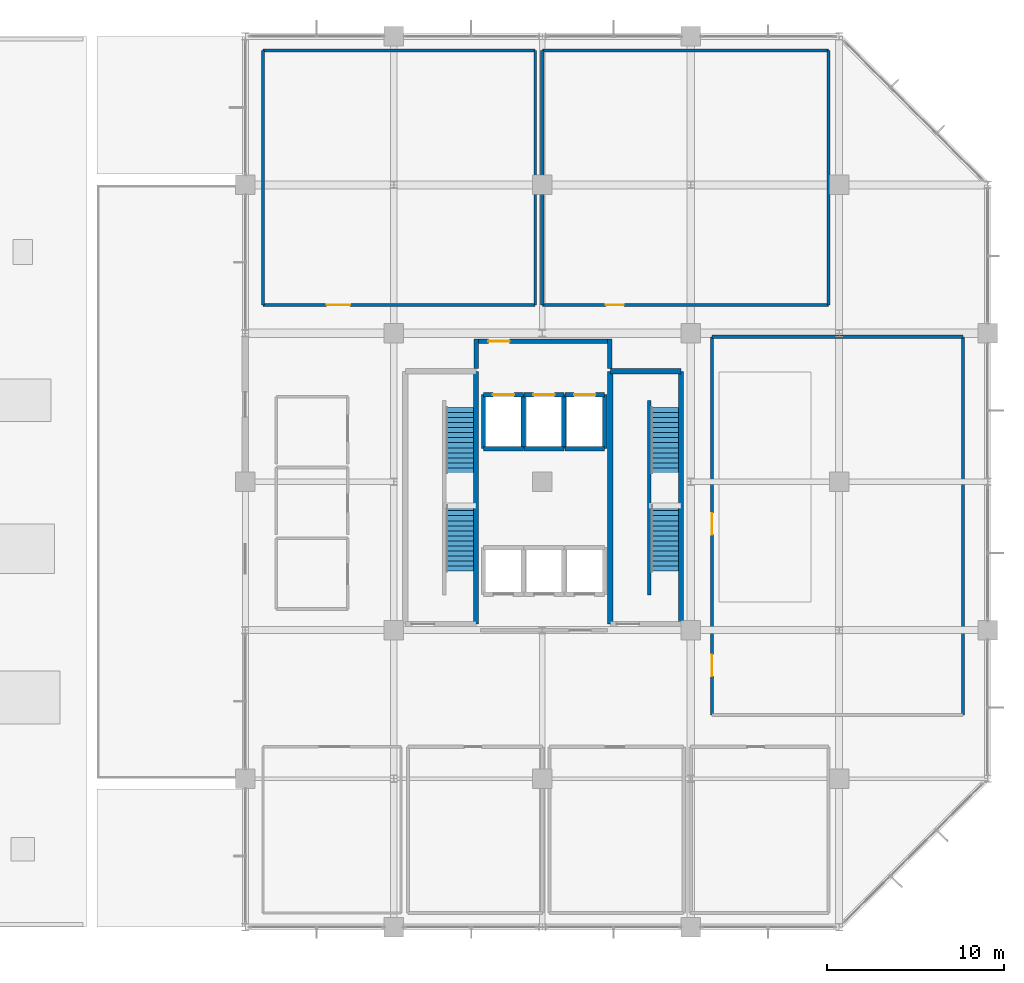
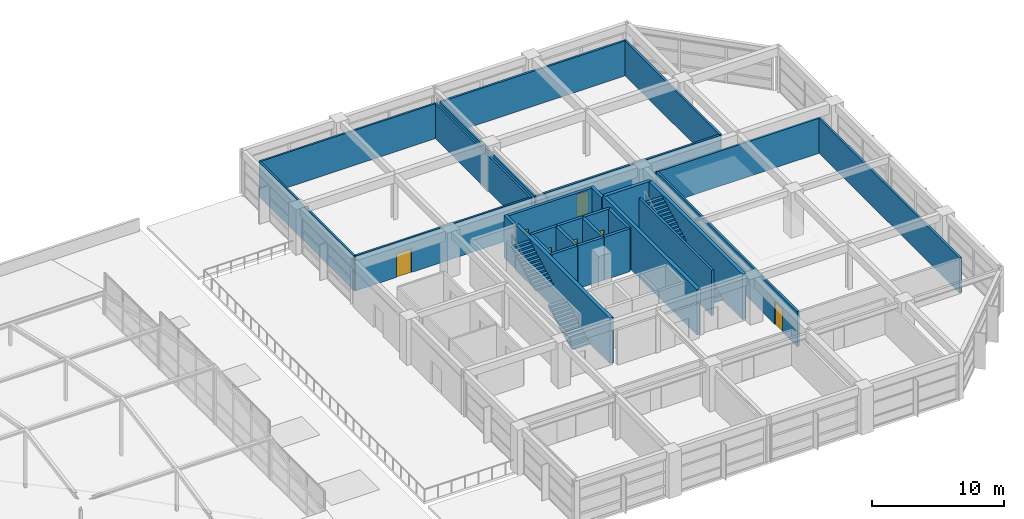
# One storey, part 32 of 34: 29 walls, 8 doors, 4 stair flights, 8 openings, 2 elements without a shape of their own.
"""IFC4 building model written with IfcOpenShell, lengths in metres."""

from ifc_helpers import new_model, si_unit, direction, frame, frame_2d, origin, place, context, subcontext, project, spatial, polyline, rectangle, outline, extrude, material, layer, layer_set, type_object, element, fill, aggregate, save


model = new_model("IFC4")

# Units and contexts
model_context = context("Model", 3, precision=1e-05, world=origin(), true_north=direction((0.0, 1.0)))
body_context = subcontext(model_context, "Body", "Model", "MODEL_VIEW")
ifc_project = project(units=[si_unit("LENGTHUNIT", "METRE"), si_unit("AREAUNIT", "SQUARE_METRE"), si_unit("VOLUMEUNIT", "CUBIC_METRE"), si_unit("PLANEANGLEUNIT", "RADIAN"), si_unit("MASSUNIT", "GRAM", prefix="KILO")], contexts=[model_context])

# Site, building, storey
site_placement = place(None, origin())
site = spatial("IfcSite", under=ifc_project, at=site_placement, CompositionType="ELEMENT")
building_placement = place(site_placement, origin())
building = spatial("IfcBuilding", under=site, at=building_placement, Name="Xuanlan Plaza Opera House", CompositionType="ELEMENT")
storey_placement = place(building_placement, frame((0.0, 0.0, 27.89990234375)))
storey = spatial("IfcBuildingStorey", under=building, at=storey_placement, Name="L06", CompositionType="ELEMENT", Elevation=27.89990234375)

# Wall
ifc_material_1 = material(Name="Gypsum Board and Galvanised Steel Studs", Category="gypsum")
ifc_layer_1 = layer(ifc_material_1, 0.179931640625)
ifc_layer_set_1 = layer_set([ifc_layer_1], Name="Gypsum Board and Galvanised Steel Studs")
wall_type_1 = type_object("IfcWallType", Name="INT-WL-PW-02", PredefinedType="PARTITIONING", material=ifc_layer_set_1)
wall_1_placement = place(storey_placement, frame((152.39990234375, 67.0, 0.0), z_axis=(0.0, 0.0, 1.0), x_axis=(1.0, 0.0, 0.0)))
element("IfcWall", 1, at=wall_1_placement, inside=storey, type_object=wall_type_1, Name="Performing Arts Production Studio Wall North", PredefinedType="PARTITIONING", context=body_context, shape_type="SweptSolid", body=[
    extrude(rectangle(XDim=14.2001953125, YDim=0.179931640625, at=frame_2d((7.10009765625, 0.0))), origin(), (0.0, 0.0, 1.0), 3.239990234375),
])

# Wall, openings, doors
wall_2_placement = place(storey_placement, frame((152.39990234375, 45.60009765625, 0.0), z_axis=(0.0, 0.0, 1.0), x_axis=(0.0, 1.0, 0.0)))
wall_2 = element("IfcWall", 2, at=wall_2_placement, inside=storey, type_object=wall_type_1, Name="Performing Arts Production Studio Wall West", PredefinedType="PARTITIONING", context=body_context, shape_type="SweptSolid", body=[
    extrude(rectangle(XDim=21.39990234375, YDim=0.179931640625, at=frame_2d((10.699951171875, 0.0))), origin(), (0.0, 0.0, 1.0), 3.239990234375),
])
opening_1_placement = place(wall_2_placement, frame((2.199951171875, 0.0, 0.0)))
opening_1 = element("IfcOpeningElement", 3, at=opening_1_placement, cuts=wall_2, Name="Opening D-05", PredefinedType="OPENING", context=body_context, shape_type="SweptSolid", body=[
    extrude(rectangle(XDim=1.219970703125, YDim=2.14990234375, at=frame_2d((0.60986328125, 1.074951171875))), frame((0.0, 0.099853515625, 0.0), z_axis=(0.0, -1.0, 0.0), x_axis=(1.0, 0.0, 0.0)), (0.0, 0.0, 1.0), 0.199951171875),
])
opening_2_placement = place(wall_2_placement, frame((10.199951171875, 0.0, 0.0)))
opening_2 = element("IfcOpeningElement", 4, at=opening_2_placement, cuts=wall_2, Name="Opening D-05", PredefinedType="OPENING", context=body_context, shape_type="SweptSolid", body=[
    extrude(rectangle(XDim=1.219970703125, YDim=2.14990234375, at=frame_2d((0.60986328125, 1.074951171875))), frame((0.0, 0.099853515625, 0.0), z_axis=(0.0, -1.0, 0.0), x_axis=(1.0, 0.0, 0.0)), (0.0, 0.0, 1.0), 0.199951171875),
])
ifc_material_2 = material(Name="Walnut Hardwood Timber", Category="wood")
door_type_1 = type_object("IfcDoorType", Name="INT-DR-D-05", OperationType="NOTDEFINED", PredefinedType="DOOR", material=ifc_material_2)
door_1_placement = place(opening_1_placement, origin())
door_1 = element("IfcDoor", 5, at=door_1_placement, inside=storey, type_object=door_type_1, Name="Performing Arts Production Studio Door 1", OperationType="SINGLE_SWING_LEFT", OverallHeight=2.14990234375, OverallWidth=1.219970703125, PredefinedType="DOOR", context=body_context, shape_type="SweptSolid", body=[
    extrude(rectangle(XDim=1.219970703125, YDim=2.14990234375, at=frame_2d((0.60986328125, 1.074951171875))), frame((0.0, 0.02490234375, 0.0), z_axis=(0.0, -1.0, 0.0), x_axis=(1.0, 0.0, 0.0)), (0.0, 0.0, 1.0), 0.050048828125),
])
fill(opening_1, door_1)
door_2_placement = place(opening_2_placement, origin())
door_2 = element("IfcDoor", 6, at=door_2_placement, inside=storey, type_object=door_type_1, Name="Performing Arts Production Studio Door 2", OperationType="SINGLE_SWING_RIGHT", OverallHeight=2.14990234375, OverallWidth=1.219970703125, PredefinedType="DOOR", context=body_context, shape_type="SweptSolid", body=[
    extrude(rectangle(XDim=1.219970703125, YDim=2.14990234375, at=frame_2d((0.60986328125, 1.074951171875))), frame((0.0, 0.02490234375, 0.0), z_axis=(0.0, -1.0, 0.0), x_axis=(1.0, 0.0, 0.0)), (0.0, 0.0, 1.0), 0.050048828125),
])
fill(opening_2, door_2)

# Wall
wall_3_placement = place(storey_placement, frame((166.60009765625, 45.60009765625, 0.0), z_axis=(0.0, 0.0, 1.0), x_axis=(0.0, 1.0, 0.0)))
element("IfcWall", 7, at=wall_3_placement, inside=storey, type_object=wall_type_1, Name="Performing Arts Production Studio Wall East", PredefinedType="PARTITIONING", context=body_context, shape_type="SweptSolid", body=[
    extrude(rectangle(XDim=21.39990234375, YDim=0.179931640625, at=frame_2d((10.699951171875, 0.0))), origin(), (0.0, 0.0, 1.0), 3.239990234375),
])

# Wall, opening, door
wall_4_placement = place(storey_placement, frame((142.800048828125, 68.800048828125, 0.0), z_axis=(0.0, 0.0, 1.0), x_axis=(1.0, 0.0, 0.0)))
wall_4 = element("IfcWall", 8, at=wall_4_placement, inside=storey, type_object=wall_type_1, Name="Dramaturgy and Programme Office Wall South", PredefinedType="PARTITIONING", context=body_context, shape_type="SweptSolid", body=[
    extrude(rectangle(XDim=16.199951171875, YDim=0.179931640625, at=frame_2d((8.10009765625, 0.0))), origin(), (0.0, 0.0, 1.0), 3.239990234375),
])
opening_3_placement = place(wall_4_placement, frame((3.60009765625, 0.0, 0.0)))
opening_3 = element("IfcOpeningElement", 9, at=opening_3_placement, cuts=wall_4, Name="Opening D-02", PredefinedType="OPENING", context=body_context, shape_type="SweptSolid", body=[
    extrude(rectangle(XDim=1.02001953125, YDim=2.10009765625, at=frame_2d((0.510009765625, 1.050048828125))), frame((0.0, 0.099853515625, 0.0), z_axis=(0.0, -1.0, 0.0), x_axis=(1.0, 0.0, 0.0)), (0.0, 0.0, 1.0), 0.199951171875),
])
ifc_material_3 = material(Name="Oak Hardwood Timber", Category="wood")
door_type_2 = type_object("IfcDoorType", Name="INT-DR-D-02", OperationType="NOTDEFINED", PredefinedType="DOOR", material=ifc_material_3)
door_3_placement = place(opening_3_placement, origin())
door_3 = element("IfcDoor", 10, at=door_3_placement, inside=storey, type_object=door_type_2, Name="Dramaturgy and Programme Office Door 1", OperationType="SINGLE_SWING_LEFT", OverallHeight=2.10009765625, OverallWidth=1.02001953125, PredefinedType="DOOR", context=body_context, shape_type="SweptSolid", body=[
    extrude(rectangle(XDim=1.02001953125, YDim=2.10009765625, at=frame_2d((0.510009765625, 1.050048828125))), frame((0.0, 0.02490234375, 0.0), z_axis=(0.0, -1.0, 0.0), x_axis=(1.0, 0.0, 0.0)), (0.0, 0.0, 1.0), 0.050048828125),
])
fill(opening_3, door_3)

# Walls
wall_5_placement = place(storey_placement, frame((142.800048828125, 83.199951171875, 0.0), z_axis=(0.0, 0.0, 1.0), x_axis=(1.0, 0.0, 0.0)))
element("IfcWall", 11, at=wall_5_placement, inside=storey, type_object=wall_type_1, Name="Dramaturgy and Programme Office Wall North", PredefinedType="PARTITIONING", context=body_context, shape_type="SweptSolid", body=[
    extrude(rectangle(XDim=16.199951171875, YDim=0.179931640625, at=frame_2d((8.10009765625, 0.0))), origin(), (0.0, 0.0, 1.0), 3.239990234375),
])
for number, where, z_axis, x_axis, name in (
    (12, (142.800048828125, 68.800048828125, 0.0), (0.0, 0.0, 1.0), (0.0, 1.0, 0.0), "Dramaturgy and Programme Office Wall West"),
    (13, (159.0, 68.800048828125, 0.0), (0.0, 0.0, 1.0), (0.0, 1.0, 0.0), "Dramaturgy and Programme Office Wall East"),
):
    element("IfcWall", number, at=place(storey_placement, frame(where, z_axis=z_axis, x_axis=x_axis)), inside=storey, type_object=wall_type_1, Name=name, PredefinedType="PARTITIONING", context=body_context, shape_type="SweptSolid", body=[
        extrude(rectangle(XDim=14.39990234375, YDim=0.179931640625, at=frame_2d((7.199951171875, 0.0))), origin(), (0.0, 0.0, 1.0), 3.239990234375),
    ])

# Wall, opening, door
ifc_layer_2 = layer(ifc_material_1, 0.159912109375)
ifc_layer_set_2 = layer_set([ifc_layer_2], Name="Gypsum Board and Galvanised Steel Studs")
wall_type_2 = type_object("IfcWallType", Name="INT-WL-PW-05", PredefinedType="PARTITIONING", material=ifc_layer_set_2)
wall_6_placement = place(storey_placement, frame((127.0, 68.800048828125, 0.0), z_axis=(0.0, 0.0, 1.0), x_axis=(1.0, 0.0, 0.0)))
wall_6 = element("IfcWall", 14, at=wall_6_placement, inside=storey, type_object=wall_type_2, Name="Artistic Direction Boardroom Wall South", PredefinedType="PARTITIONING", context=body_context, shape_type="SweptSolid", body=[
    extrude(rectangle(XDim=15.39990234375, YDim=0.159912109375, at=frame_2d((7.699951171875, 0.0))), origin(), (0.0, 0.0, 1.0), 3.239990234375),
])
opening_4_placement = place(wall_6_placement, frame((3.60009765625, 0.0, 0.0)))
opening_4 = element("IfcOpeningElement", 15, at=opening_4_placement, cuts=wall_6, Name="Opening D-07", PredefinedType="OPENING", context=body_context, shape_type="SweptSolid", body=[
    extrude(rectangle(XDim=1.320068359375, YDim=2.179931640625, at=frame_2d((0.66015625, 1.08984375))), frame((0.0, 0.08984375, 0.0), z_axis=(0.0, -1.0, 0.0), x_axis=(1.0, 0.0, 0.0)), (0.0, 0.0, 1.0), 0.179931640625),
])
door_type_3 = type_object("IfcDoorType", Name="INT-DR-D-07", OperationType="NOTDEFINED", PredefinedType="DOOR", material=ifc_material_2)
door_4_placement = place(opening_4_placement, origin())
door_4 = element("IfcDoor", 16, at=door_4_placement, inside=storey, type_object=door_type_3, Name="Artistic Direction Boardroom Door 1", OperationType="SINGLE_SWING_LEFT", OverallHeight=2.179931640625, OverallWidth=1.320068359375, PredefinedType="DOOR", context=body_context, shape_type="SweptSolid", body=[
    extrude(rectangle(XDim=1.320068359375, YDim=2.179931640625, at=frame_2d((0.66015625, 1.08984375))), frame((0.0, 0.02490234375, 0.0), z_axis=(0.0, -1.0, 0.0), x_axis=(1.0, 0.0, 0.0)), (0.0, 0.0, 1.0), 0.050048828125),
])
fill(opening_4, door_4)

# Walls
wall_7_placement = place(storey_placement, frame((127.0, 83.199951171875, 0.0), z_axis=(0.0, 0.0, 1.0), x_axis=(1.0, 0.0, 0.0)))
element("IfcWall", 17, at=wall_7_placement, inside=storey, type_object=wall_type_2, Name="Artistic Direction Boardroom Wall North", PredefinedType="PARTITIONING", context=body_context, shape_type="SweptSolid", body=[
    extrude(rectangle(XDim=15.39990234375, YDim=0.159912109375, at=frame_2d((7.699951171875, 0.0))), origin(), (0.0, 0.0, 1.0), 3.239990234375),
])
for number, where, z_axis, x_axis, name in (
    (18, (127.0, 68.800048828125, 0.0), (0.0, 0.0, 1.0), (0.0, 1.0, 0.0), "Artistic Direction Boardroom Wall West"),
    (19, (142.39990234375, 68.800048828125, 0.0), (0.0, 0.0, 1.0), (0.0, 1.0, 0.0), "Artistic Direction Boardroom Wall East"),
):
    element("IfcWall", number, at=place(storey_placement, frame(where, z_axis=z_axis, x_axis=x_axis)), inside=storey, type_object=wall_type_2, Name=name, PredefinedType="PARTITIONING", context=body_context, shape_type="SweptSolid", body=[
        extrude(rectangle(XDim=14.39990234375, YDim=0.159912109375, at=frame_2d((7.199951171875, 0.0))), origin(), (0.0, 0.0, 1.0), 3.239990234375),
    ])
ifc_material_4 = material(Name="Concrete C40", Category="concrete")
ifc_layer_3 = layer(ifc_material_4, 0.25)
ifc_layer_set_3 = layer_set([ifc_layer_3], Name="Concrete C40")
wall_type_3 = type_object("IfcWallType", Name="INT-WL-SW-LF1", PredefinedType="SHEAR", material=ifc_layer_set_3)
wall_8_placement = place(storey_placement, frame((139.47509765625, 60.675048828125, 0.0), z_axis=(0.0, 0.0, 1.0), x_axis=(1.0, 0.0, 0.0)))
element("IfcWall", 20, at=wall_8_placement, inside=storey, type_object=wall_type_3, Name="Lift Shaft Wall LF-FF1 L06 South", PredefinedType="SHEAR", context=body_context, shape_type="SweptSolid", body=[
    extrude(rectangle(XDim=2.25, YDim=0.25, at=frame_2d((1.125, 0.0))), origin(), (0.0, 0.0, 1.0), 3.960205078125),
])

# Wall, opening, door
wall_9_placement = place(storey_placement, frame((139.47509765625, 63.72509765625, 0.0), z_axis=(0.0, 0.0, 1.0), x_axis=(1.0, 0.0, 0.0)))
wall_9 = element("IfcWall", 21, at=wall_9_placement, inside=storey, type_object=wall_type_3, Name="Lift Shaft Wall LF-FF1 L06 North", PredefinedType="SHEAR", context=body_context, shape_type="SweptSolid", body=[
    extrude(rectangle(XDim=2.25, YDim=0.25, at=frame_2d((1.125, 0.0))), origin(), (0.0, 0.0, 1.0), 3.960205078125),
])
opening_5_placement = place(wall_9_placement, frame((0.52490234375, 0.0, 0.0)))
opening_5 = element("IfcOpeningElement", 22, at=opening_5_placement, cuts=wall_9, Name="Opening LD-FF1-L06", PredefinedType="OPENING", context=body_context, shape_type="SweptSolid", body=[
    extrude(rectangle(XDim=1.199951171875, YDim=2.179931640625, at=frame_2d((0.60009765625, 1.08984375))), frame((0.0, 0.135009765625, 0.0), z_axis=(0.0, -1.0, 0.0), x_axis=(1.0, 0.0, 0.0)), (0.0, 0.0, 1.0), 0.27001953125),
])
ifc_material_5 = material(Name="Stainless Steel S30408", Category="steel")
door_type_4 = type_object("IfcDoorType", Name="INT-DR-LD-02", OperationType="DOUBLE_DOOR_SLIDING", PredefinedType="DOOR", material=ifc_material_5)
door_5_placement = place(opening_5_placement, origin())
door_5 = element("IfcDoor", 23, at=door_5_placement, inside=storey, type_object=door_type_4, Name="Lift Sliding Landing Door LF-FF1 L06", OperationType="DOUBLE_DOOR_SLIDING", OverallHeight=2.179931640625, OverallWidth=1.199951171875, PredefinedType="DOOR", context=body_context, shape_type="SweptSolid", body=[
    extrude(rectangle(XDim=1.199951171875, YDim=2.179931640625, at=frame_2d((0.60009765625, 1.08984375))), frame((0.0, 0.02490234375, 0.0), z_axis=(0.0, -1.0, 0.0), x_axis=(1.0, 0.0, 0.0)), (0.0, 0.0, 1.0), 0.050048828125),
])
fill(opening_5, door_5)

# Walls
for number, where, z_axis, x_axis, name in (
    (24, (139.47509765625, 60.675048828125, 0.0), (0.0, 0.0, 1.0), (0.0, 1.0, 0.0), "Lift Shaft Wall LF-FF1 L06 West"),
    (25, (141.72509765625, 60.675048828125, 0.0), (0.0, 0.0, 1.0), (0.0, 1.0, 0.0), "Lift Shaft Wall LF-FF1 L06 East"),
):
    element("IfcWall", number, at=place(storey_placement, frame(where, z_axis=z_axis, x_axis=x_axis)), inside=storey, type_object=wall_type_3, Name=name, PredefinedType="SHEAR", context=body_context, shape_type="SweptSolid", body=[
        extrude(rectangle(XDim=3.050048828125, YDim=0.25, at=frame_2d((1.52490234375, 0.0))), origin(), (0.0, 0.0, 1.0), 3.960205078125),
    ])
wall_10_placement = place(storey_placement, frame((141.77490234375, 60.675048828125, 0.0), z_axis=(0.0, 0.0, 1.0), x_axis=(1.0, 0.0, 0.0)))
element("IfcWall", 26, at=wall_10_placement, inside=storey, type_object=wall_type_3, Name="Lift Shaft Wall LF-FF2 L06 South", PredefinedType="SHEAR", context=body_context, shape_type="SweptSolid", body=[
    extrude(rectangle(XDim=2.25, YDim=0.25, at=frame_2d((1.125, 0.0))), origin(), (0.0, 0.0, 1.0), 3.960205078125),
])

# Wall, opening, door
wall_11_placement = place(storey_placement, frame((141.77490234375, 63.72509765625, 0.0), z_axis=(0.0, 0.0, 1.0), x_axis=(1.0, 0.0, 0.0)))
wall_11 = element("IfcWall", 27, at=wall_11_placement, inside=storey, type_object=wall_type_3, Name="Lift Shaft Wall LF-FF2 L06 North", PredefinedType="SHEAR", context=body_context, shape_type="SweptSolid", body=[
    extrude(rectangle(XDim=2.25, YDim=0.25, at=frame_2d((1.125, 0.0))), origin(), (0.0, 0.0, 1.0), 3.960205078125),
])
opening_6_placement = place(wall_11_placement, frame((0.52490234375, 0.0, 0.0)))
opening_6 = element("IfcOpeningElement", 28, at=opening_6_placement, cuts=wall_11, Name="Opening LD-FF2-L06", PredefinedType="OPENING", context=body_context, shape_type="SweptSolid", body=[
    extrude(rectangle(XDim=1.199951171875, YDim=2.179931640625, at=frame_2d((0.60009765625, 1.08984375))), frame((0.0, 0.135009765625, 0.0), z_axis=(0.0, -1.0, 0.0), x_axis=(1.0, 0.0, 0.0)), (0.0, 0.0, 1.0), 0.27001953125),
])
door_6_placement = place(opening_6_placement, origin())
door_6 = element("IfcDoor", 29, at=door_6_placement, inside=storey, type_object=door_type_4, Name="Lift Sliding Landing Door LF-FF2 L06", OperationType="DOUBLE_DOOR_SLIDING", OverallHeight=2.179931640625, OverallWidth=1.199951171875, PredefinedType="DOOR", context=body_context, shape_type="SweptSolid", body=[
    extrude(rectangle(XDim=1.199951171875, YDim=2.179931640625, at=frame_2d((0.60009765625, 1.08984375))), frame((0.0, 0.02490234375, 0.0), z_axis=(0.0, -1.0, 0.0), x_axis=(1.0, 0.0, 0.0)), (0.0, 0.0, 1.0), 0.050048828125),
])
fill(opening_6, door_6)

# Walls
wall_12_placement = place(storey_placement, frame((144.02490234375, 60.675048828125, 0.0), z_axis=(0.0, 0.0, 1.0), x_axis=(0.0, 1.0, 0.0)))
element("IfcWall", 30, at=wall_12_placement, inside=storey, type_object=wall_type_3, Name="Lift Shaft Wall LF-FF2 L06 East", PredefinedType="SHEAR", context=body_context, shape_type="SweptSolid", body=[
    extrude(rectangle(XDim=3.050048828125, YDim=0.25, at=frame_2d((1.52490234375, 0.0))), origin(), (0.0, 0.0, 1.0), 3.960205078125),
])
wall_13_placement = place(storey_placement, frame((144.074951171875, 60.675048828125, 0.0), z_axis=(0.0, 0.0, 1.0), x_axis=(1.0, 0.0, 0.0)))
element("IfcWall", 31, at=wall_13_placement, inside=storey, type_object=wall_type_3, Name="Lift Shaft Wall LF-FF3 L06 South", PredefinedType="SHEAR", context=body_context, shape_type="SweptSolid", body=[
    extrude(rectangle(XDim=2.25, YDim=0.25, at=frame_2d((1.125, 0.0))), origin(), (0.0, 0.0, 1.0), 3.960205078125),
])

# Wall, opening, door
wall_14_placement = place(storey_placement, frame((144.074951171875, 63.72509765625, 0.0), z_axis=(0.0, 0.0, 1.0), x_axis=(1.0, 0.0, 0.0)))
wall_14 = element("IfcWall", 32, at=wall_14_placement, inside=storey, type_object=wall_type_3, Name="Lift Shaft Wall LF-FF3 L06 North", PredefinedType="SHEAR", context=body_context, shape_type="SweptSolid", body=[
    extrude(rectangle(XDim=2.25, YDim=0.25, at=frame_2d((1.125, 0.0))), origin(), (0.0, 0.0, 1.0), 3.960205078125),
])
opening_7_placement = place(wall_14_placement, frame((0.52490234375, 0.0, 0.0)))
opening_7 = element("IfcOpeningElement", 33, at=opening_7_placement, cuts=wall_14, Name="Opening LD-FF3-L06", PredefinedType="OPENING", context=body_context, shape_type="SweptSolid", body=[
    extrude(rectangle(XDim=1.199951171875, YDim=2.179931640625, at=frame_2d((0.60009765625, 1.08984375))), frame((0.0, 0.135009765625, 0.0), z_axis=(0.0, -1.0, 0.0), x_axis=(1.0, 0.0, 0.0)), (0.0, 0.0, 1.0), 0.27001953125),
])
door_7_placement = place(opening_7_placement, origin())
door_7 = element("IfcDoor", 34, at=door_7_placement, inside=storey, type_object=door_type_4, Name="Lift Sliding Landing Door LF-FF3 L06", OperationType="DOUBLE_DOOR_SLIDING", OverallHeight=2.179931640625, OverallWidth=1.199951171875, PredefinedType="DOOR", context=body_context, shape_type="SweptSolid", body=[
    extrude(rectangle(XDim=1.199951171875, YDim=2.179931640625, at=frame_2d((0.60009765625, 1.08984375))), frame((0.0, 0.02490234375, 0.0), z_axis=(0.0, -1.0, 0.0), x_axis=(1.0, 0.0, 0.0)), (0.0, 0.0, 1.0), 0.050048828125),
])
fill(opening_7, door_7)

# Walls
wall_15_placement = place(storey_placement, frame((146.324951171875, 60.675048828125, 0.0), z_axis=(0.0, 0.0, 1.0), x_axis=(0.0, 1.0, 0.0)))
element("IfcWall", 35, at=wall_15_placement, inside=storey, type_object=wall_type_3, Name="Lift Shaft Wall LF-FF3 L06 East", PredefinedType="SHEAR", context=body_context, shape_type="SweptSolid", body=[
    extrude(rectangle(XDim=3.050048828125, YDim=0.25, at=frame_2d((1.52490234375, 0.0))), origin(), (0.0, 0.0, 1.0), 3.960205078125),
])
for number, where, z_axis, x_axis, name in (
    (36, (139.074951171875, 65.199951171875, 0.0), (0.0, 0.0, 1.0), (0.0, 1.0, 0.0), "Firefighting Lift Lobby Enclosure Wall L06 W"),
    (37, (146.625, 65.199951171875, 0.0), (0.0, 0.0, 1.0), (0.0, 1.0, 0.0), "Firefighting Lift Lobby Enclosure Wall L06 E"),
):
    element("IfcWall", number, at=place(storey_placement, frame(where, z_axis=z_axis, x_axis=x_axis)), inside=storey, type_object=wall_type_3, Name=name, PredefinedType="SHEAR", context=body_context, shape_type="SweptSolid", body=[
        extrude(rectangle(XDim=1.675048828125, YDim=0.25, at=frame_2d((0.83740234375, 0.0))), origin(), (0.0, 0.0, 1.0), 3.960205078125),
    ])

# Wall, opening, door
wall_16_placement = place(storey_placement, frame((139.199951171875, 66.75, 0.0), z_axis=(0.0, 0.0, 1.0), x_axis=(1.0, 0.0, 0.0)))
wall_16 = element("IfcWall", 38, at=wall_16_placement, inside=storey, type_object=wall_type_3, Name="Firefighting Lift Lobby Wall North", PredefinedType="SHEAR", context=body_context, shape_type="SweptSolid", body=[
    extrude(rectangle(XDim=7.300048828125, YDim=0.25, at=frame_2d((3.64990234375, 0.0))), origin(), (0.0, 0.0, 1.0), 3.960205078125),
])
opening_8_placement = place(wall_16_placement, frame((0.550048828125, 0.0, 0.0)))
opening_8 = element("IfcOpeningElement", 39, at=opening_8_placement, cuts=wall_16, Name="Opening FD-02", PredefinedType="OPENING", context=body_context, shape_type="SweptSolid", body=[
    extrude(rectangle(XDim=1.199951171875, YDim=2.14990234375, at=frame_2d((0.60009765625, 1.074951171875))), frame((0.0, 0.135009765625, 0.0), z_axis=(0.0, -1.0, 0.0), x_axis=(1.0, 0.0, 0.0)), (0.0, 0.0, 1.0), 0.27001953125),
])
ifc_material_6 = material(Name="Galvanised Steel Q235B", Category="steel")
door_type_5 = type_object("IfcDoorType", Name="INT-DR-FD-02", OperationType="NOTDEFINED", PredefinedType="DOOR", material=ifc_material_6)
door_8_placement = place(opening_8_placement, origin())
door_8 = element("IfcDoor", 40, at=door_8_placement, inside=storey, type_object=door_type_5, Name="Firefighting Lift Lobby Door 1", OperationType="SINGLE_SWING_RIGHT", OverallHeight=2.14990234375, OverallWidth=1.199951171875, PredefinedType="DOOR", context=body_context, shape_type="SweptSolid", body=[
    extrude(rectangle(XDim=1.199951171875, YDim=2.14990234375, at=frame_2d((0.60009765625, 1.074951171875))), frame((0.0, 0.02490234375, 0.0), z_axis=(0.0, -1.0, 0.0), x_axis=(1.0, 0.0, 0.0)), (0.0, 0.0, 1.0), 0.050048828125),
])
fill(opening_8, door_8)

# Walls
ifc_layer_4 = layer(ifc_material_4, 0.199951171875)
ifc_layer_set_4 = layer_set([ifc_layer_4], Name="Concrete C40")
wall_type_4 = type_object("IfcWallType", Name="INT-WL-SW-SPN", PredefinedType="SHEAR", material=ifc_layer_set_4)
wall_17_placement = place(storey_placement, frame((148.85009765625, 52.39990234375, 0.0), z_axis=(0.0, 0.0, 1.0), x_axis=(0.0, 1.0, 0.0)))
element("IfcWall", 41, at=wall_17_placement, inside=storey, type_object=wall_type_4, Name="Stair Structural Spine Wall ST-T2 L06", PredefinedType="SHEAR", context=body_context, shape_type="SweptSolid", body=[
    extrude(rectangle(XDim=11.0, YDim=0.199951171875, at=frame_2d((5.5, 0.0))), origin(), (0.0, 0.0, 1.0), 4.2001953125),
])
ifc_layer_5 = layer(ifc_material_4, 0.300048828125)
ifc_layer_set_5 = layer_set([ifc_layer_5], Name="Concrete C40")
wall_type_5 = type_object("IfcWallType", Name="INT-WL-SW-ST1", PredefinedType="SHEAR", material=ifc_layer_set_5)
wall_18_placement = place(storey_placement, frame((139.050048828125, 50.75, 0.0), z_axis=(0.0, 0.0, 1.0), x_axis=(0.0, 1.0, 0.0)))
element("IfcWall", 42, at=wall_18_placement, inside=storey, type_object=wall_type_5, Name="Stair Core Wall ST-T1 L06 East", PredefinedType="SHEAR", context=body_context, shape_type="SweptSolid", body=[
    extrude(rectangle(XDim=14.300048828125, YDim=0.300048828125, at=frame_2d((7.14990234375, 0.0))), origin(), (0.0, 0.0, 1.0), 4.2001953125),
])
wall_19_placement = place(storey_placement, frame((146.64990234375, 65.050048828125, 0.0), z_axis=(0.0, 0.0, 1.0), x_axis=(1.0, 0.0, 0.0)))
element("IfcWall", 43, at=wall_19_placement, inside=storey, type_object=wall_type_5, Name="Stair Core Wall ST-T2 L06 North", PredefinedType="SHEAR", context=body_context, shape_type="SweptSolid", body=[
    extrude(rectangle(XDim=4.0, YDim=0.300048828125, at=frame_2d((2.0, 0.0))), origin(), (0.0, 0.0, 1.0), 4.2001953125),
])
for number, where, z_axis, x_axis, name in (
    (44, (146.64990234375, 50.75, 0.0), (0.0, 0.0, 1.0), (0.0, 1.0, 0.0), "Stair Core Wall ST-T2 L06 West"),
    (45, (150.64990234375, 50.75, 0.0), (0.0, 0.0, 1.0), (0.0, 1.0, 0.0), "Stair Core Wall ST-T2 L06 East"),
):
    element("IfcWall", number, at=place(storey_placement, frame(where, z_axis=z_axis, x_axis=x_axis)), inside=storey, type_object=wall_type_5, Name=name, PredefinedType="SHEAR", context=body_context, shape_type="SweptSolid", body=[
        extrude(rectangle(XDim=14.300048828125, YDim=0.300048828125, at=frame_2d((7.14990234375, 0.0))), origin(), (0.0, 0.0, 1.0), 4.2001953125),
    ])

# Stair, stair flights
stair_type = type_object("IfcStairType", Name="INT-ST-STR-T155", PredefinedType="STRAIGHT_RUN_STAIR", material=ifc_material_4)
stair_1_placement = place(storey_placement, origin())
stair_1 = element("IfcStair", 46, at=stair_1_placement, inside=storey, type_object=stair_type, Name="Protected Exit Stair ST-T1 L06", PredefinedType="STRAIGHT_RUN_STAIR")
ifc_layer_6 = layer(ifc_material_4, 0.159912109375)
ifc_layer_set_6 = layer_set([ifc_layer_6], Name="Concrete C40")
stair_flight_type = type_object("IfcStairFlightType", Name="INT-FL-FL-155", PredefinedType="STRAIGHT", material=ifc_layer_set_6)
stair_flight_1_placement = place(storey_placement, frame((138.125, 53.739990234375, 0.0), z_axis=(0.0, 0.0, 1.0), x_axis=(0.0, 1.0, 0.0)))
stair_flight_1 = element("IfcStairFlight", 47, at=stair_flight_1_placement, type_object=stair_flight_type, Name="ST-T1-L06 flight 1", NumberOfRisers=14, NumberOfTreads=13, PredefinedType="STRAIGHT", RiserHeight=0.15, TreadLength=0.285, context=body_context, shape_type="SweptSolid", body=[
    extrude(outline(polyline([(0.0, 0.0), (0.0, 0.14990234375), (0.284912109375, 0.14990234375), (0.284912109375, 0.300048828125), (0.570068359375, 0.300048828125), (0.570068359375, 0.449951171875), (0.85498046875, 0.449951171875), (0.85498046875, 0.60009765625), (1.139892578125, 0.60009765625), (1.139892578125, 0.75), (1.425048828125, 0.75), (1.425048828125, 0.89990234375), (1.7099609375, 0.89990234375), (1.7099609375, 1.050048828125), (1.9951171875, 1.050048828125), (1.9951171875, 1.199951171875), (2.280029296875, 1.199951171875), (2.280029296875, 1.35009765625), (2.56494140625, 1.35009765625), (2.56494140625, 1.5), (2.85009765625, 1.5), (2.85009765625, 1.64990234375), (3.135009765625, 1.64990234375), (3.135009765625, 1.800048828125), (3.419921875, 1.800048828125), (3.419921875, 1.949951171875), (3.705078125, 1.949951171875), (3.705078125, 2.10009765625), (3.705078125, 1.769287109375), (0.34326171875, 0.0), (0.0, 0.0)])), frame((0.0, 0.77490234375, 0.0), z_axis=(0.0, -1.0, 0.0), x_axis=(1.0, 0.0, 0.0)), (0.0, 0.0, 1.0), 1.550048828125),
])
stair_flight_2_placement = place(storey_placement, frame((138.125, 59.294921875, 2.10009765625), z_axis=(0.0, 0.0, 1.0), x_axis=(0.0, 1.0, 0.0)))
stair_flight_2 = element("IfcStairFlight", 48, at=stair_flight_2_placement, type_object=stair_flight_type, Name="ST-T1-L06 flight 2", NumberOfRisers=14, NumberOfTreads=13, PredefinedType="STRAIGHT", RiserHeight=0.15, TreadLength=0.285, context=body_context, shape_type="SweptSolid", body=[
    extrude(outline(polyline([(0.0, 0.0), (0.0, 0.14990234375), (0.284912109375, 0.14990234375), (0.284912109375, 0.300048828125), (0.570068359375, 0.300048828125), (0.570068359375, 0.449951171875), (0.85498046875, 0.449951171875), (0.85498046875, 0.60009765625), (1.139892578125, 0.60009765625), (1.139892578125, 0.75), (1.425048828125, 0.75), (1.425048828125, 0.89990234375), (1.7099609375, 0.89990234375), (1.7099609375, 1.050048828125), (1.9951171875, 1.050048828125), (1.9951171875, 1.199951171875), (2.280029296875, 1.199951171875), (2.280029296875, 1.35009765625), (2.56494140625, 1.35009765625), (2.56494140625, 1.5), (2.85009765625, 1.5), (2.85009765625, 1.64990234375), (3.135009765625, 1.64990234375), (3.135009765625, 1.800048828125), (3.419921875, 1.800048828125), (3.419921875, 1.949951171875), (3.705078125, 1.949951171875), (3.705078125, 2.10009765625), (3.705078125, 1.769287109375), (0.34326171875, 0.0), (0.0, 0.0)])), frame((0.0, 0.77490234375, 0.0), z_axis=(0.0, -1.0, 0.0), x_axis=(1.0, 0.0, 0.0)), (0.0, 0.0, 1.0), 1.550048828125),
])
aggregate(stair_1, [stair_flight_1, stair_flight_2])

stair_2_placement = place(storey_placement, origin())
stair_2 = element("IfcStair", 49, at=stair_2_placement, inside=storey, type_object=stair_type, Name="Protected Exit Stair ST-T2 L06", PredefinedType="STRAIGHT_RUN_STAIR")
stair_flight_3_placement = place(storey_placement, frame((149.72509765625, 53.739990234375, 0.0), z_axis=(0.0, 0.0, 1.0), x_axis=(0.0, 1.0, 0.0)))
stair_flight_3 = element("IfcStairFlight", 50, at=stair_flight_3_placement, type_object=stair_flight_type, Name="ST-T2-L06 flight 1", NumberOfRisers=14, NumberOfTreads=13, PredefinedType="STRAIGHT", RiserHeight=0.15, TreadLength=0.285, context=body_context, shape_type="SweptSolid", body=[
    extrude(outline(polyline([(0.0, 0.0), (0.0, 0.14990234375), (0.284912109375, 0.14990234375), (0.284912109375, 0.300048828125), (0.570068359375, 0.300048828125), (0.570068359375, 0.449951171875), (0.85498046875, 0.449951171875), (0.85498046875, 0.60009765625), (1.139892578125, 0.60009765625), (1.139892578125, 0.75), (1.425048828125, 0.75), (1.425048828125, 0.89990234375), (1.7099609375, 0.89990234375), (1.7099609375, 1.050048828125), (1.9951171875, 1.050048828125), (1.9951171875, 1.199951171875), (2.280029296875, 1.199951171875), (2.280029296875, 1.35009765625), (2.56494140625, 1.35009765625), (2.56494140625, 1.5), (2.85009765625, 1.5), (2.85009765625, 1.64990234375), (3.135009765625, 1.64990234375), (3.135009765625, 1.800048828125), (3.419921875, 1.800048828125), (3.419921875, 1.949951171875), (3.705078125, 1.949951171875), (3.705078125, 2.10009765625), (3.705078125, 1.769287109375), (0.34326171875, 0.0), (0.0, 0.0)])), frame((0.0, 0.77490234375, 0.0), z_axis=(0.0, -1.0, 0.0), x_axis=(1.0, 0.0, 0.0)), (0.0, 0.0, 1.0), 1.550048828125),
])
stair_flight_4_placement = place(storey_placement, frame((149.72509765625, 59.294921875, 2.10009765625), z_axis=(0.0, 0.0, 1.0), x_axis=(0.0, 1.0, 0.0)))
stair_flight_4 = element("IfcStairFlight", 51, at=stair_flight_4_placement, type_object=stair_flight_type, Name="ST-T2-L06 flight 2", NumberOfRisers=14, NumberOfTreads=13, PredefinedType="STRAIGHT", RiserHeight=0.15, TreadLength=0.285, context=body_context, shape_type="SweptSolid", body=[
    extrude(outline(polyline([(0.0, 0.0), (0.0, 0.14990234375), (0.284912109375, 0.14990234375), (0.284912109375, 0.300048828125), (0.570068359375, 0.300048828125), (0.570068359375, 0.449951171875), (0.85498046875, 0.449951171875), (0.85498046875, 0.60009765625), (1.139892578125, 0.60009765625), (1.139892578125, 0.75), (1.425048828125, 0.75), (1.425048828125, 0.89990234375), (1.7099609375, 0.89990234375), (1.7099609375, 1.050048828125), (1.9951171875, 1.050048828125), (1.9951171875, 1.199951171875), (2.280029296875, 1.199951171875), (2.280029296875, 1.35009765625), (2.56494140625, 1.35009765625), (2.56494140625, 1.5), (2.85009765625, 1.5), (2.85009765625, 1.64990234375), (3.135009765625, 1.64990234375), (3.135009765625, 1.800048828125), (3.419921875, 1.800048828125), (3.419921875, 1.949951171875), (3.705078125, 1.949951171875), (3.705078125, 2.10009765625), (3.705078125, 1.769287109375), (0.34326171875, 0.0), (0.0, 0.0)])), frame((0.0, 0.77490234375, 0.0), z_axis=(0.0, -1.0, 0.0), x_axis=(1.0, 0.0, 0.0)), (0.0, 0.0, 1.0), 1.550048828125),
])
aggregate(stair_2, [stair_flight_3, stair_flight_4])

save(model, "model.ifc")
